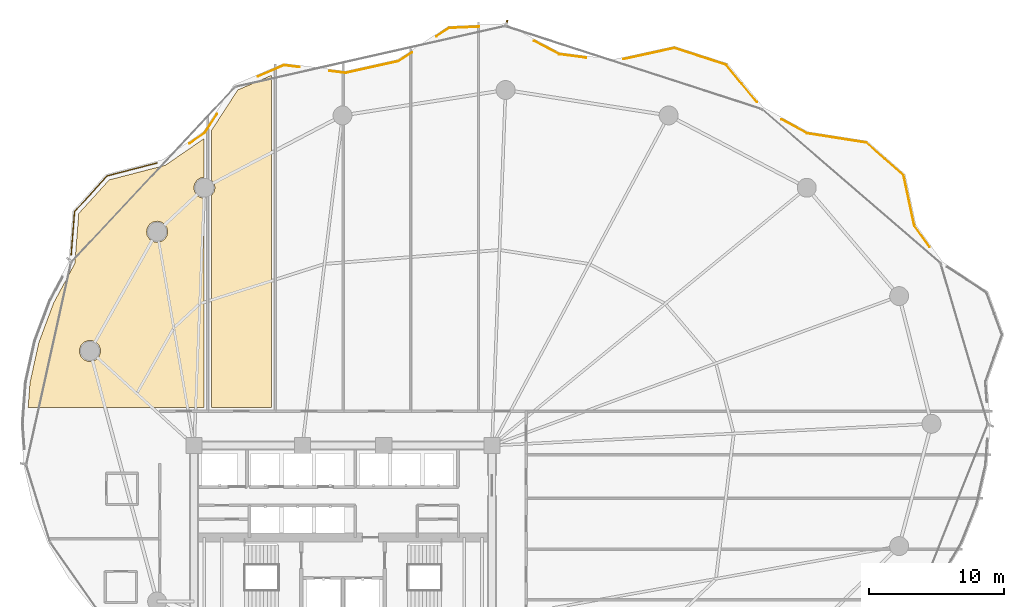
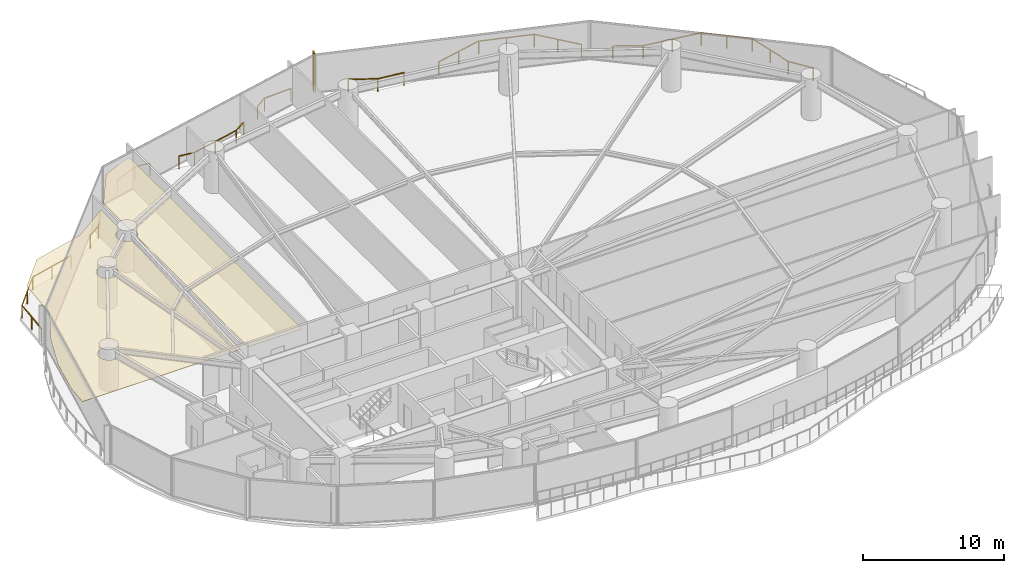
# One storey, part 33 of 34: 8 railings, 2 coverings, 1 shading device.
"""IFC4 building model written with IfcOpenShell, lengths in metres."""

from ifc_helpers import new_model, si_unit, direction, frame, origin, origin_2d, place, context, subcontext, project, spatial, polyline, rectangle, outline, extrude, material, layer, layer_set, type_object, element, save


model = new_model("IFC4")

# Units and contexts
model_context = context("Model", 3, precision=1e-05, world=origin(), true_north=direction((0.0, 1.0)))
body_context = subcontext(model_context, "Body", "Model", "MODEL_VIEW")
ifc_project = project(units=[si_unit("LENGTHUNIT", "METRE"), si_unit("AREAUNIT", "SQUARE_METRE"), si_unit("VOLUMEUNIT", "CUBIC_METRE"), si_unit("PLANEANGLEUNIT", "RADIAN"), si_unit("MASSUNIT", "GRAM", prefix="KILO")], contexts=[model_context])

# Site, building, storey
site_placement = place(None, origin())
site = spatial("IfcSite", under=ifc_project, at=site_placement, CompositionType="ELEMENT")
building_placement = place(site_placement, origin())
building = spatial("IfcBuilding", under=site, at=building_placement, Name="Kazevale Care Tower and Concert Hall", CompositionType="ELEMENT")
storey_placement = place(building_placement, frame((0.0, 0.0, 67.199951171875)))
storey = spatial("IfcBuildingStorey", under=building, at=storey_placement, Name="L17", CompositionType="ELEMENT", Elevation=67.199951171875)

# Coverings
ifc_material_1 = material(Name="Acoustic Plaster and Hinoki Wood", Category="wood")
ifc_layer = layer(ifc_material_1, 0.0400390625)
ifc_layer_set = layer_set([ifc_layer], Name="Acoustic Plaster and Hinoki Wood")
covering_type = type_object("IfcCoveringType", Name="Acoustic Perforated Wood-Gypsum Ceiling", PredefinedType="CEILING", material=ifc_layer_set)
covering_1_placement = place(storey_placement, frame((0.0, 0.0, 2.7099609375)))
element("IfcCovering", 1, at=covering_1_placement, inside=storey, type_object=covering_type, Name="clg:L17:1", PredefinedType="CEILING", context=body_context, shape_type="SweptSolid", body=[
    extrude(outline(polyline([(13.48291015625, 53.529052734375), (15.735107421875, 56.012939453125), (19.8798828125, 57.091064453125), (22.719970703125, 59.048095703125), (22.719970703125, 56.2060546875), (22.4619140625, 56.15087890625), (22.2080078125, 55.98193359375), (22.0390625, 55.72802734375), (21.97998046875, 55.429931640625), (22.0390625, 55.132080078125), (22.2080078125, 54.8779296875), (22.4619140625, 54.708984375), (22.719970703125, 54.654052734375), (22.719970703125, 39.205078125), (9.7490234375, 39.205078125), (9.881103515625, 41.02392578125), (10.5400390625, 44.010986328125), (11.62890625, 46.925048828125), (13.196044921875, 49.843017578125), (13.48291015625, 53.529052734375)]), holes=[polyline([(19.990966796875, 52.47802734375), (19.822021484375, 52.73193359375), (19.568115234375, 52.90087890625), (19.27001953125, 52.9599609375), (18.971923828125, 52.90087890625), (18.718017578125, 52.73193359375), (18.549072265625, 52.47802734375), (18.489990234375, 52.179931640625), (18.549072265625, 51.882080078125), (18.718017578125, 51.6279296875), (18.971923828125, 51.458984375), (19.27001953125, 51.39990234375), (19.568115234375, 51.458984375), (19.822021484375, 51.6279296875), (19.990966796875, 51.882080078125), (20.050048828125, 52.179931640625), (19.990966796875, 52.47802734375)]), polyline([(15.074951171875, 43.531982421875), (14.958984375, 43.81298828125), (14.742919921875, 44.029052734375), (14.4619140625, 44.14501953125), (14.157958984375, 44.14501953125), (13.876953125, 44.029052734375), (13.660888671875, 43.81298828125), (13.544921875, 43.531982421875), (13.544921875, 43.22802734375), (13.660888671875, 42.947021484375), (13.876953125, 42.73095703125), (14.157958984375, 42.614990234375), (14.4619140625, 42.614990234375), (14.742919921875, 42.73095703125), (14.958984375, 42.947021484375), (15.074951171875, 43.22802734375), (15.074951171875, 43.531982421875)])]), origin(), (0.0, 0.0, 1.0), 0.0400390625),
])
covering_2_placement = place(storey_placement, frame((0.0, 0.0, 2.7099609375)))
element("IfcCovering", 2, at=covering_2_placement, inside=storey, type_object=covering_type, Name="clg:L17:2", PredefinedType="CEILING", context=body_context, shape_type="SweptSolid", body=[
    extrude(outline(polyline([(23.280029296875, 54.85302734375), (23.48095703125, 55.132080078125), (23.5400390625, 55.429931640625), (23.48095703125, 55.72802734375), (23.280029296875, 56.007080078125), (23.280029296875, 59.658935546875), (25.22607421875, 62.654052734375), (27.719970703125, 63.73291015625), (27.719970703125, 39.205078125), (23.280029296875, 39.205078125), (23.280029296875, 54.85302734375)])), origin(), (0.0, 0.0, 1.0), 0.0400390625),
])

# Railings
ifc_material_2 = material(Name="Anodised Bronze Aluminium and Laminated Glass", Category="aluminium")
railing_type = type_object("IfcRailingType", Name="Balcony and Terrace Balustrade 1120", PredefinedType="BALUSTRADE", material=ifc_material_2)
railing_1_placement = place(storey_placement, frame((12.925048828125, 50.48291015625, 0.0)))
element("IfcRailing", 3, at=railing_1_placement, inside=storey, type_object=railing_type, Name="rail:L17:perim:2", PredefinedType="BALUSTRADE", context=body_context, shape_type="SweptSolid", body=[
    extrude(rectangle(XDim=0.048095703125, YDim=0.048095703125, at=origin_2d()), frame((0.0, 0.0, 1.09619140625), z_axis=(0.077457363228, 0.996995665428, 0.0), x_axis=(-0.996995665428, 0.077457363228, 0.0)), (0.0, 0.0, 1.0), 3.189697265625),
    extrude(rectangle(XDim=0.048095703125, YDim=0.048095703125, at=origin_2d()), frame((0.2470703125, 3.18017578125, 1.09619140625), z_axis=(0.67167834736, 0.740842896766, 0.0), x_axis=(-0.740842896766, 0.67167834736, 0.0)), (0.0, 0.0, 1.0), 3.55810546875),
    extrude(rectangle(XDim=0.048095703125, YDim=0.048095703125, at=origin_2d()), frame((2.636962890625, 5.816162109375, 1.09619140625), z_axis=(0.967833691326, 0.251590830384, 0.0), x_axis=(-0.251590830384, 0.967833691326, 0.0)), (0.0, 0.0, 1.0), 3.8271484375),
    extrude(rectangle(XDim=0.0419921875, YDim=0.0419921875, at=origin_2d()), origin(), (0.0, 0.0, 1.0), 1.072021484375),
    extrude(rectangle(XDim=0.0419921875, YDim=0.0419921875, at=origin_2d()), frame((0.12353515625, 1.590087890625, 0.0)), (0.0, 0.0, 1.0), 1.072021484375),
    extrude(rectangle(XDim=0.0419921875, YDim=0.0419921875, at=origin_2d()), frame((0.2470703125, 3.18017578125, 0.0)), (0.0, 0.0, 1.0), 1.072021484375),
    extrude(rectangle(XDim=0.0419921875, YDim=0.0419921875, at=origin_2d()), frame((1.44189453125, 4.498046875, 0.0)), (0.0, 0.0, 1.0), 1.072021484375),
    extrude(rectangle(XDim=0.0419921875, YDim=0.0419921875, at=origin_2d()), frame((2.636962890625, 5.816162109375, 0.0)), (0.0, 0.0, 1.0), 1.072021484375),
    extrude(rectangle(XDim=0.0419921875, YDim=0.0419921875, at=origin_2d()), frame((4.489013671875, 6.297607421875, 0.0)), (0.0, 0.0, 1.0), 1.072021484375),
    extrude(rectangle(XDim=0.0419921875, YDim=0.0419921875, at=origin_2d()), frame((6.341064453125, 6.779052734375, 0.0)), (0.0, 0.0, 1.0), 1.072021484375),
])
railing_2_placement = place(storey_placement, frame((21.65087890625, 58.699951171875, 0.0)))
element("IfcRailing", 4, at=railing_2_placement, inside=storey, type_object=railing_type, Name="rail:L17:perim:3", PredefinedType="BALUSTRADE", context=body_context, shape_type="SweptSolid", body=[
    extrude(rectangle(XDim=0.048095703125, YDim=0.048095703125, at=origin_2d()), frame((0.0, 0.0, 1.09619140625), z_axis=(0.823330292932, 0.56756253289, 0.0), x_axis=(-0.56756253289, 0.823330292932, 0.0)), (0.0, 0.0, 1.0), 1.37255859375),
    extrude(rectangle(XDim=0.048095703125, YDim=0.048095703125, at=origin_2d()), frame((1.130126953125, 0.779052734375, 1.09619140625), z_axis=(0.545340812874, 0.838214410407, 0.0), x_axis=(-0.838214410407, 0.545340812874, 0.0)), (0.0, 0.0, 1.0), 1.6796875),
    extrude(rectangle(XDim=0.0419921875, YDim=0.0419921875, at=origin_2d()), origin(), (0.0, 0.0, 1.0), 1.072021484375),
    extrude(rectangle(XDim=0.0419921875, YDim=0.0419921875, at=origin_2d()), frame((1.130126953125, 0.779052734375, 0.0)), (0.0, 0.0, 1.0), 1.072021484375),
    extrude(rectangle(XDim=0.0419921875, YDim=0.0419921875, at=origin_2d()), frame((2.046142578125, 2.18701171875, 0.0)), (0.0, 0.0, 1.0), 1.072021484375),
])
railing_3_placement = place(storey_placement, frame((26.70703125, 63.64306640625, 0.0)))
element("IfcRailing", 5, at=railing_3_placement, inside=storey, type_object=railing_type, Name="rail:L17:perim:4", PredefinedType="BALUSTRADE", context=body_context, shape_type="SweptSolid", body=[
    extrude(rectangle(XDim=0.048095703125, YDim=0.048095703125, at=origin_2d()), frame((0.0, 0.0, 1.09619140625), z_axis=(0.917761192616, 0.397132715007, 0.0), x_axis=(-0.397132715007, 0.917761192616, 0.0)), (0.0, 0.0, 1.0), 2.107421875),
    extrude(rectangle(XDim=0.048095703125, YDim=0.048095703125, at=origin_2d()), frame((1.93408203125, 0.8369140625, 1.09619140625), z_axis=(0.992136908777, -0.125157317977, 0.0), x_axis=(0.125157317977, 0.992136908777, 0.0)), (0.0, 0.0, 1.0), 1.15087890625),
    extrude(rectangle(XDim=0.0419921875, YDim=0.0419921875, at=origin_2d()), origin(), (0.0, 0.0, 1.0), 1.072021484375),
    extrude(rectangle(XDim=0.0419921875, YDim=0.0419921875, at=origin_2d()), frame((1.93408203125, 0.8369140625, 0.0)), (0.0, 0.0, 1.0), 1.072021484375),
    extrude(rectangle(XDim=0.0419921875, YDim=0.0419921875, at=origin_2d()), frame((3.075927734375, 0.69287109375, 0.0)), (0.0, 0.0, 1.0), 1.072021484375),
])
railing_4_placement = place(storey_placement, frame((32.001953125, 64.05810546875, 0.0)))
element("IfcRailing", 6, at=railing_4_placement, inside=storey, type_object=railing_type, Name="rail:L17:perim:5", PredefinedType="BALUSTRADE", context=body_context, shape_type="SweptSolid", body=[
    extrude(rectangle(XDim=0.048095703125, YDim=0.048095703125, at=origin_2d()), frame((0.0, 0.0, 1.09619140625), z_axis=(0.992119329578, -0.125296591644, 0.0), x_axis=(0.125296591644, 0.992119329578, 0.0)), (0.0, 0.0, 1.0), 1.1904296875),
    extrude(rectangle(XDim=0.048095703125, YDim=0.048095703125, at=origin_2d()), frame((1.18115234375, -0.149169921875, 1.09619140625), z_axis=(0.976178445537, 0.216969220097, 0.0), x_axis=(-0.216969220097, 0.976178445537, 0.0)), (0.0, 0.0, 1.0), 4.001220703125),
    extrude(rectangle(XDim=0.048095703125, YDim=0.048095703125, at=origin_2d()), frame((5.087158203125, 0.718994140625, 1.09619140625), z_axis=(0.835832367502, 0.548984747908, 0.0), x_axis=(-0.548984747908, 0.835832367502, 0.0)), (0.0, 0.0, 1.0), 1.185546875),
    extrude(rectangle(XDim=0.0419921875, YDim=0.0419921875, at=origin_2d()), origin(), (0.0, 0.0, 1.0), 1.072021484375),
    extrude(rectangle(XDim=0.0419921875, YDim=0.0419921875, at=origin_2d()), frame((1.18115234375, -0.149169921875, 0.0)), (0.0, 0.0, 1.0), 1.072021484375),
    extrude(rectangle(XDim=0.0419921875, YDim=0.0419921875, at=origin_2d()), frame((3.13427734375, 0.284912109375, 0.0)), (0.0, 0.0, 1.0), 1.072021484375),
    extrude(rectangle(XDim=0.0419921875, YDim=0.0419921875, at=origin_2d()), frame((5.087158203125, 0.718994140625, 0.0)), (0.0, 0.0, 1.0), 1.072021484375),
    extrude(rectangle(XDim=0.0419921875, YDim=0.0419921875, at=origin_2d()), frame((6.078125, 1.369873046875, 0.0)), (0.0, 0.0, 1.0), 1.072021484375),
])
railing_5_placement = place(storey_placement, frame((39.885986328125, 66.614013671875, 0.0)))
element("IfcRailing", 7, at=railing_5_placement, inside=storey, type_object=railing_type, Name="rail:L17:perim:6", PredefinedType="BALUSTRADE", context=body_context, shape_type="SweptSolid", body=[
    extrude(rectangle(XDim=0.048095703125, YDim=0.048095703125, at=origin_2d()), frame((0.0, 0.0, 1.09619140625), z_axis=(0.835903517622, 0.548876406149, 0.0), x_axis=(-0.548876406149, 0.835903517622, 0.0)), (0.0, 0.0, 1.0), 1.115234375),
    extrude(rectangle(XDim=0.048095703125, YDim=0.048095703125, at=origin_2d()), frame((0.93212890625, 0.612060546875, 1.09619140625), z_axis=(0.999043859493, 0.043719181241, 0.0), x_axis=(-0.043719181241, 0.999043859493, 0.0)), (0.0, 0.0, 1.0), 2.217041015625),
    extrude(rectangle(XDim=0.0419921875, YDim=0.0419921875, at=origin_2d()), origin(), (0.0, 0.0, 1.0), 1.072021484375),
    extrude(rectangle(XDim=0.0419921875, YDim=0.0419921875, at=origin_2d()), frame((0.93212890625, 0.612060546875, 0.0)), (0.0, 0.0, 1.0), 1.072021484375),
    extrude(rectangle(XDim=0.0419921875, YDim=0.0419921875, at=origin_2d()), frame((3.14697265625, 0.708984375, 0.0)), (0.0, 0.0, 1.0), 1.072021484375),
])
railing_6_placement = place(storey_placement, frame((47.115966796875, 66.27001953125, 0.0)))
element("IfcRailing", 8, at=railing_6_placement, inside=storey, type_object=railing_type, Name="rail:L17:perim:7", PredefinedType="BALUSTRADE", context=body_context, shape_type="SweptSolid", body=[
    extrude(rectangle(XDim=0.048095703125, YDim=0.048095703125, at=origin_2d()), frame((0.0, 0.0, 1.09619140625), z_axis=(0.883776562896, -0.467909165198, 0.0), x_axis=(0.467909165198, 0.883776562896, 0.0)), (0.0, 0.0, 1.0), 2.09228515625),
    extrude(rectangle(XDim=0.048095703125, YDim=0.048095703125, at=origin_2d()), frame((1.84912109375, -0.97900390625, 1.09619140625), z_axis=(0.991534086176, -0.129846663223, 0.0), x_axis=(0.129846663223, 0.991534086176, 0.0)), (0.0, 0.0, 1.0), 1.994873046875),
    extrude(rectangle(XDim=0.0419921875, YDim=0.0419921875, at=origin_2d()), origin(), (0.0, 0.0, 1.0), 1.072021484375),
    extrude(rectangle(XDim=0.0419921875, YDim=0.0419921875, at=origin_2d()), frame((1.84912109375, -0.97900390625, 0.0)), (0.0, 0.0, 1.0), 1.072021484375),
    extrude(rectangle(XDim=0.0419921875, YDim=0.0419921875, at=origin_2d()), frame((3.8271484375, -1.238037109375, 0.0)), (0.0, 0.0, 1.0), 1.072021484375),
])
railing_7_placement = place(storey_placement, frame((53.72509765625, 64.929931640625, 0.0)))
element("IfcRailing", 9, at=railing_7_placement, inside=storey, type_object=railing_type, Name="rail:L17:perim:8", PredefinedType="BALUSTRADE", context=body_context, shape_type="SweptSolid", body=[
    extrude(rectangle(XDim=0.048095703125, YDim=0.048095703125, at=origin_2d()), frame((0.0, 0.0, 1.09619140625), z_axis=(0.976904182087, 0.213677839331, 0.0), x_axis=(-0.213677839331, 0.976904182087, 0.0)), (0.0, 0.0, 1.0), 3.82421875),
    extrude(rectangle(XDim=0.048095703125, YDim=0.048095703125, at=origin_2d()), frame((3.73583984375, 0.817138671875, 1.09619140625), z_axis=(0.951224739484, -0.308498776326, 0.0), x_axis=(0.308498776326, 0.951224739484, 0.0)), (0.0, 0.0, 1.0), 4.032958984375),
    extrude(rectangle(XDim=0.048095703125, YDim=0.048095703125, at=origin_2d()), frame((7.572021484375, -0.427001953125, 1.09619140625), z_axis=(0.63401399695, -0.773321570675, 0.0), x_axis=(0.773321570675, 0.63401399695, 0.0)), (0.0, 0.0, 1.0), 3.56103515625),
    extrude(rectangle(XDim=0.0419921875, YDim=0.0419921875, at=origin_2d()), origin(), (0.0, 0.0, 1.0), 1.072021484375),
    extrude(rectangle(XDim=0.0419921875, YDim=0.0419921875, at=origin_2d()), frame((1.867919921875, 0.40869140625, 0.0)), (0.0, 0.0, 1.0), 1.072021484375),
    extrude(rectangle(XDim=0.0419921875, YDim=0.0419921875, at=origin_2d()), frame((3.73583984375, 0.817138671875, 0.0)), (0.0, 0.0, 1.0), 1.072021484375),
    extrude(rectangle(XDim=0.0419921875, YDim=0.0419921875, at=origin_2d()), frame((5.65380859375, 0.195068359375, 0.0)), (0.0, 0.0, 1.0), 1.072021484375),
    extrude(rectangle(XDim=0.0419921875, YDim=0.0419921875, at=origin_2d()), frame((7.572021484375, -0.427001953125, 0.0)), (0.0, 0.0, 1.0), 1.072021484375),
    extrude(rectangle(XDim=0.0419921875, YDim=0.0419921875, at=origin_2d()), frame((8.700927734375, -1.803955078125, 0.0)), (0.0, 0.0, 1.0), 1.072021484375),
    extrude(rectangle(XDim=0.0419921875, YDim=0.0419921875, at=origin_2d()), frame((9.829833984375, -3.180908203125, 0.0)), (0.0, 0.0, 1.0), 1.072021484375),
])
railing_8_placement = place(storey_placement, frame((65.375, 60.48291015625, 0.0)))
element("IfcRailing", 10, at=railing_8_placement, inside=storey, type_object=railing_type, Name="rail:L17:perim:9", PredefinedType="BALUSTRADE", context=body_context, shape_type="SweptSolid", body=[
    extrude(rectangle(XDim=0.048095703125, YDim=0.048095703125, at=origin_2d()), frame((0.0, 0.0, 1.09619140625), z_axis=(0.877408218259, -0.479744534656, 0.0), x_axis=(0.479744534656, 0.877408218259, 0.0)), (0.0, 0.0, 1.0), 2.165283203125),
    extrude(rectangle(XDim=0.048095703125, YDim=0.048095703125, at=origin_2d()), frame((1.89990234375, -1.038818359375, 1.09619140625), z_axis=(0.98800015678, -0.154452873728, 0.0), x_axis=(0.154452873728, 0.98800015678, 0.0)), (0.0, 0.0, 1.0), 4.41015625),
    extrude(rectangle(XDim=0.048095703125, YDim=0.048095703125, at=origin_2d()), frame((6.257080078125, -1.719970703125, 1.09619140625), z_axis=(0.752130585126, -0.65901409918, 0.0), x_axis=(0.65901409918, 0.752130585126, 0.0)), (0.0, 0.0, 1.0), 3.662841796875),
    extrude(rectangle(XDim=0.048095703125, YDim=0.048095703125, at=origin_2d()), frame((9.011962890625, -4.1337890625, 1.09619140625), z_axis=(0.208802033864, -0.977957928877, 0.0), x_axis=(0.977957928877, 0.208802033864, 0.0)), (0.0, 0.0, 1.0), 3.80712890625),
    extrude(rectangle(XDim=0.048095703125, YDim=0.048095703125, at=origin_2d()), frame((9.806884765625, -7.85693359375, 1.09619140625), z_axis=(0.582711263324, -0.812679262437, 0.0), x_axis=(0.812679262437, 0.582711263324, 0.0)), (0.0, 0.0, 1.0), 1.94287109375),
    extrude(rectangle(XDim=0.0419921875, YDim=0.0419921875, at=origin_2d()), origin(), (0.0, 0.0, 1.0), 1.072021484375),
    extrude(rectangle(XDim=0.0419921875, YDim=0.0419921875, at=origin_2d()), frame((1.89990234375, -1.038818359375, 0.0)), (0.0, 0.0, 1.0), 1.072021484375),
    extrude(rectangle(XDim=0.0419921875, YDim=0.0419921875, at=origin_2d()), frame((4.07861328125, -1.37939453125, 0.0)), (0.0, 0.0, 1.0), 1.072021484375),
    extrude(rectangle(XDim=0.0419921875, YDim=0.0419921875, at=origin_2d()), frame((6.257080078125, -1.719970703125, 0.0)), (0.0, 0.0, 1.0), 1.072021484375),
    extrude(rectangle(XDim=0.0419921875, YDim=0.0419921875, at=origin_2d()), frame((7.634521484375, -2.9267578125, 0.0)), (0.0, 0.0, 1.0), 1.072021484375),
    extrude(rectangle(XDim=0.0419921875, YDim=0.0419921875, at=origin_2d()), frame((9.011962890625, -4.1337890625, 0.0)), (0.0, 0.0, 1.0), 1.072021484375),
    extrude(rectangle(XDim=0.0419921875, YDim=0.0419921875, at=origin_2d()), frame((9.409423828125, -5.995361328125, 0.0)), (0.0, 0.0, 1.0), 1.072021484375),
    extrude(rectangle(XDim=0.0419921875, YDim=0.0419921875, at=origin_2d()), frame((9.806884765625, -7.85693359375, 0.0)), (0.0, 0.0, 1.0), 1.072021484375),
    extrude(rectangle(XDim=0.0419921875, YDim=0.0419921875, at=origin_2d()), frame((10.93896484375, -9.435791015625, 0.0)), (0.0, 0.0, 1.0), 1.072021484375),
])

# Shading device
ifc_material_3 = material(Name="Honed Ochre Limestone", Category="masonry")
shading_device_type = type_object("IfcShadingDeviceType", Name="Vertical Honed Limestone Fin FIN-01", PredefinedType="USERDEFINED", material=ifc_material_3)
shading_device_placement = place(storey_placement, frame((45.08203125, 67.618408203125, 0.0), z_axis=(0.0, 0.0, 1.0), x_axis=(0.30785482931, 0.951433341896, 0.0)))
element("IfcShadingDevice", 11, at=shading_device_placement, inside=storey, type_object=shading_device_type, Name="cw:L17:f16:fin", ObjectType="FIN", PredefinedType="USERDEFINED", context=body_context, shape_type="SweptSolid", body=[
    extrude(rectangle(XDim=0.3798828125, YDim=0.1201171875, at=origin_2d()), origin(), (0.0, 0.0, 1.0), 3.360107421875),
])

save(model, "model.ifc")
